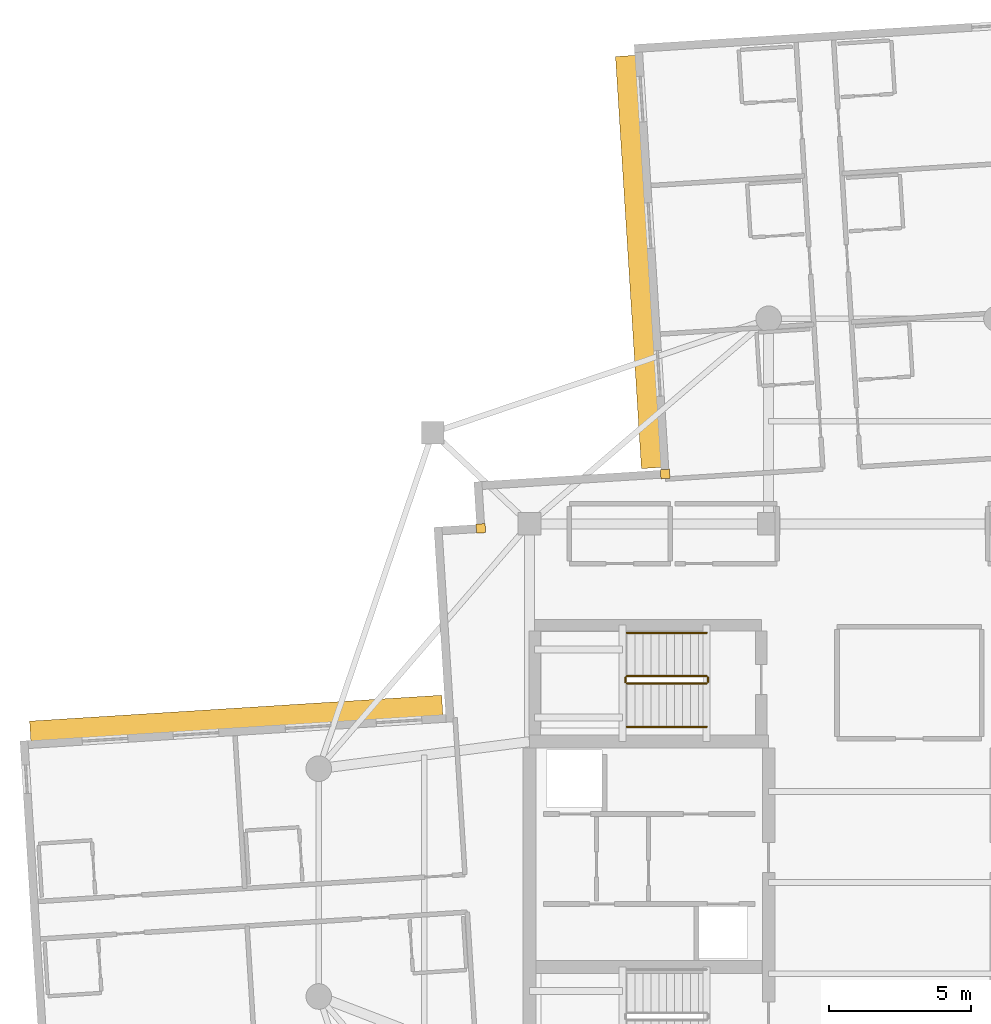
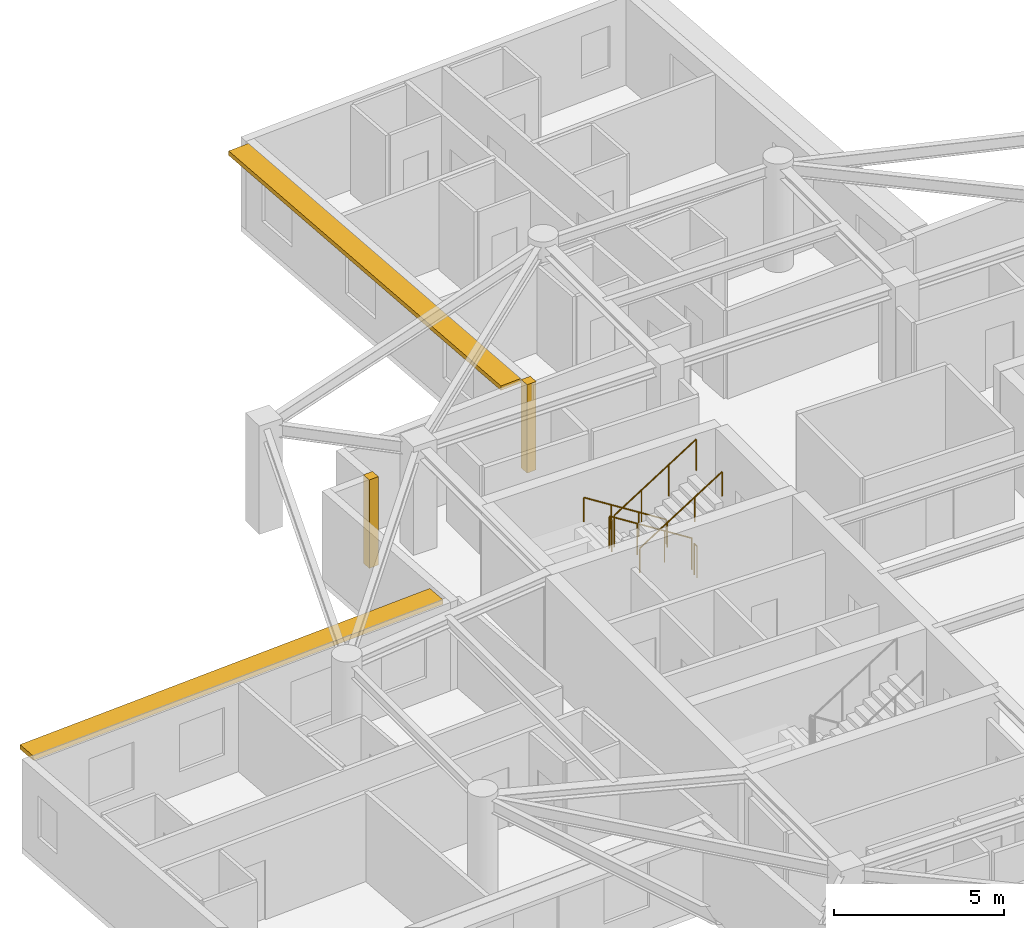
# One storey, part 12 of 13: 6 railings, 2 coverings, 2 shading devices.
"""IFC4 building model written with IfcOpenShell, lengths in metres."""

from ifc_helpers import new_model, si_unit, direction, frame, origin, origin_2d, place, context, subcontext, project, spatial, rectangle, circle, extrude, material, layer, layer_set, type_object, element, save


model = new_model("IFC4")

# Units and contexts
model_context = context("Model", 3, precision=1e-05, world=origin(), true_north=direction((0.0, 1.0)))
body_context = subcontext(model_context, "Body", "Model", "MODEL_VIEW")
ifc_project = project(units=[si_unit("LENGTHUNIT", "METRE"), si_unit("AREAUNIT", "SQUARE_METRE"), si_unit("VOLUMEUNIT", "CUBIC_METRE"), si_unit("PLANEANGLEUNIT", "RADIAN"), si_unit("MASSUNIT", "GRAM", prefix="KILO")], contexts=[model_context])

# Site, building, storey
site_placement = place(None, origin())
site = spatial("IfcSite", under=ifc_project, at=site_placement, CompositionType="ELEMENT")
building_placement = place(site_placement, origin())
building = spatial("IfcBuilding", under=site, at=building_placement, Name="Qingluan Cross Belvedere", CompositionType="ELEMENT")
storey_placement = place(building_placement, frame((0.0, 0.0, 281.10009765625)))
storey = spatial("IfcBuildingStorey", under=building, at=storey_placement, Name="L70", CompositionType="ELEMENT", Elevation=281.10009765625)

# Coverings
ifc_material_1 = material(Name="Precast concrete C45", Category="concrete")
ifc_layer_1 = layer(ifc_material_1, 0.1201171875, Name="ConcreteSpandrelCladding_120")
ifc_layer_set_1 = layer_set([ifc_layer_1], Name="Precast concrete C45")
covering_type = type_object("IfcCoveringType", Name="ConcreteSpandrelCladding_120", PredefinedType="CLADDING", material=ifc_layer_set_1)
for number, where, z_axis, x_axis, name in (
    (1, (-14.10888671875, 12.438720703125, 0.0), (0.0, 0.0, 1.0), (0.998026728428, 0.062790519529, 0.0), "Corner closure L70-NW1"),
    (2, (-7.635986328125, 14.348876953125, 0.0), (0.0, 0.0, 1.0), (0.998026728428, 0.062790519529, 0.0), "Corner closure L70-NW2"),
):
    element("IfcCovering", number, at=place(storey_placement, frame(where, z_axis=z_axis, x_axis=x_axis)), inside=storey, type_object=covering_type, Name=name, PredefinedType="CLADDING", context=body_context, shape_type="SweptSolid", body=[
        extrude(rectangle(XDim=0.320068359375, YDim=0.320068359375, at=origin_2d()), origin(), (0.0, 0.0, 1.0), 3.179931640625),
    ])

# Shading devices
ifc_material_2 = material(Name="Precast concrete C45", Category="concrete")
ifc_layer_2 = layer(ifc_material_2, 0.139892578125, Name="ConcreteSunshadeBand_700")
ifc_layer_set_2 = layer_set([ifc_layer_2], Name="Precast concrete C45")
shading_device_type = type_object("IfcShadingDeviceType", Name="ConcreteSunshadeBand_700", PredefinedType="USERDEFINED", material=ifc_layer_set_2)
for number, where, z_axis, x_axis, name in (
    (3, (-8.575439453125, 21.794677734375, 3.0), (0.0, 0.0, 1.0), (0.062795866837, -0.99802639199, 0.0), "Concrete SUNSHADE L70-NB"),
    (4, (-22.697509765625, 5.776123046875, 3.0), (0.0, 0.0, 1.0), (-0.998026818306, -0.062789090939, 0.0), "Concrete SUNSHADE L70-WA"),
):
    element("IfcShadingDevice", number, at=place(storey_placement, frame(where, z_axis=z_axis, x_axis=x_axis)), inside=storey, type_object=shading_device_type, Name=name, ObjectType="SUNSHADE", PredefinedType="USERDEFINED", context=body_context, shape_type="SweptSolid", body=[
        extrude(rectangle(XDim=14.5, YDim=0.699951171875, at=origin_2d()), origin(), (0.0, 0.0, 1.0), 0.159912109375),
    ])

# Railings
ifc_material_3 = material(Name="Brushed stainless steel tubular handrail", Category="steel")
railing_type_1 = type_object("IfcRailingType", Name="StairPitchHandrail_900", PredefinedType="HANDRAIL", material=ifc_material_3)
railing_1_placement = place(storey_placement, frame((-6.179931640625, 8.77001953125, 0.17724609375)))
element("IfcRailing", 5, at=railing_1_placement, inside=storey, type_object=railing_type_1, Name="L70 ST3 stair handrail 1", PredefinedType="HANDRAIL", context=body_context, shape_type="SweptSolid", body=[
    extrude(circle(Radius=0.02392578125, at=origin_2d()), frame((0.0, 0.0, 0.8759765625), z_axis=(-0.844908973607, 0.0, 0.534910110503), x_axis=(0.0, -1.0, 0.0)), (0.0, 0.0, 1.0), 3.31396484375),
    extrude(circle(Radius=0.02099609375, at=origin_2d()), origin(), (0.0, 0.0, 1.0), 0.851806640625),
    extrude(circle(Radius=0.02099609375, at=origin_2d()), frame((-0.933349609375, 0.0, 0.5908203125)), (0.0, 0.0, 1.0), 0.851806640625),
    extrude(circle(Radius=0.02099609375, at=origin_2d()), frame((-1.86669921875, 0.0, 1.181884765625)), (0.0, 0.0, 1.0), 0.851806640625),
    extrude(circle(Radius=0.02099609375, at=origin_2d()), frame((-2.800048828125, 0.0, 1.772705078125)), (0.0, 0.0, 1.0), 0.851806640625),
])
railing_2_placement = place(storey_placement, frame((-8.97998046875, 5.469970703125, 2.127197265625)))
element("IfcRailing", 6, at=railing_2_placement, inside=storey, type_object=railing_type_1, Name="L70 ST3 stair handrail 2", PredefinedType="HANDRAIL", context=body_context, shape_type="SweptSolid", body=[
    extrude(circle(Radius=0.02392578125, at=origin_2d()), frame((0.0, 0.0, 0.8759765625), z_axis=(0.844908973607, 0.0, 0.534910110503), x_axis=(0.0, 1.0, 0.0)), (0.0, 0.0, 1.0), 3.31396484375),
    extrude(circle(Radius=0.02099609375, at=origin_2d()), origin(), (0.0, 0.0, 1.0), 0.851806640625),
    extrude(circle(Radius=0.02099609375, at=origin_2d()), frame((0.933349609375, 0.0, 0.5908203125)), (0.0, 0.0, 1.0), 0.851806640625),
    extrude(circle(Radius=0.02099609375, at=origin_2d()), frame((1.86669921875, 0.0, 1.181884765625)), (0.0, 0.0, 1.0), 0.851806640625),
    extrude(circle(Radius=0.02099609375, at=origin_2d()), frame((2.800048828125, 0.0, 1.772705078125)), (0.0, 0.0, 1.0), 0.851806640625),
])
ifc_material_4 = material(Name="Painted steel stair well guard", Category="steel")
railing_type_2 = type_object("IfcRailingType", Name="StairWellGuard_1150", PredefinedType="BALUSTRADE", material=ifc_material_4)
railing_3_placement = place(storey_placement, frame((-6.179931640625, 7.25, 0.17724609375)))
element("IfcRailing", 7, at=railing_3_placement, inside=storey, type_object=railing_type_2, Name="L70 ST3 stair guard 1", PredefinedType="BALUSTRADE", context=body_context, shape_type="SweptSolid", body=[
    extrude(circle(Radius=0.02392578125, at=origin_2d()), frame((0.0, 0.0, 1.1259765625), z_axis=(-0.844908973607, 0.0, 0.534910110503), x_axis=(0.0, -1.0, 0.0)), (0.0, 0.0, 1.0), 3.31396484375),
    extrude(circle(Radius=0.02099609375, at=origin_2d()), origin(), (0.0, 0.0, 1.0), 1.101806640625),
    extrude(circle(Radius=0.02099609375, at=origin_2d()), frame((-0.933349609375, 0.0, 0.5908203125)), (0.0, 0.0, 1.0), 1.101806640625),
    extrude(circle(Radius=0.02099609375, at=origin_2d()), frame((-1.86669921875, 0.0, 1.181884765625)), (0.0, 0.0, 1.0), 1.101806640625),
    extrude(circle(Radius=0.02099609375, at=origin_2d()), frame((-2.800048828125, 0.0, 1.772705078125)), (0.0, 0.0, 1.0), 1.101806640625),
])
railing_4_placement = place(storey_placement, frame((-9.030029296875, 7.199951171875, 1.949951171875)))
element("IfcRailing", 8, at=railing_4_placement, inside=storey, type_object=railing_type_2, Name="L70 ST3 stair guard 2", PredefinedType="BALUSTRADE", context=body_context, shape_type="SweptSolid", body=[
    extrude(circle(Radius=0.02392578125, at=origin_2d()), frame((0.0, 0.0, 1.1259765625), z_axis=(0.0, -1.0, 0.0), x_axis=(1.0, 0.0, 0.0)), (0.0, 0.0, 1.0), 0.159912109375),
    extrude(circle(Radius=0.02099609375, at=origin_2d()), origin(), (0.0, 0.0, 1.0), 1.101806640625),
    extrude(circle(Radius=0.02099609375, at=origin_2d()), frame((0.0, -0.159912109375, 0.0)), (0.0, 0.0, 1.0), 1.101806640625),
])
railing_5_placement = place(storey_placement, frame((-8.97998046875, 6.989990234375, 2.127197265625)))
element("IfcRailing", 9, at=railing_5_placement, inside=storey, type_object=railing_type_2, Name="L70 ST3 stair guard 3", PredefinedType="BALUSTRADE", context=body_context, shape_type="SweptSolid", body=[
    extrude(circle(Radius=0.02392578125, at=origin_2d()), frame((0.0, 0.0, 1.1259765625), z_axis=(0.844908973607, 0.0, 0.534910110503), x_axis=(0.0, 1.0, 0.0)), (0.0, 0.0, 1.0), 3.31396484375),
    extrude(circle(Radius=0.02099609375, at=origin_2d()), origin(), (0.0, 0.0, 1.0), 1.101806640625),
    extrude(circle(Radius=0.02099609375, at=origin_2d()), frame((0.933349609375, 0.0, 0.5908203125)), (0.0, 0.0, 1.0), 1.101806640625),
    extrude(circle(Radius=0.02099609375, at=origin_2d()), frame((1.86669921875, 0.0, 1.181884765625)), (0.0, 0.0, 1.0), 1.101806640625),
    extrude(circle(Radius=0.02099609375, at=origin_2d()), frame((2.800048828125, 0.0, 1.772705078125)), (0.0, 0.0, 1.0), 1.101806640625),
])
railing_6_placement = place(storey_placement, frame((-6.1298828125, 7.199951171875, 0.0)))
element("IfcRailing", 10, at=railing_6_placement, inside=storey, type_object=railing_type_2, Name="L70 ST3 stair guard 4", PredefinedType="BALUSTRADE", context=body_context, shape_type="SweptSolid", body=[
    extrude(circle(Radius=0.02392578125, at=origin_2d()), frame((0.0, 0.0, 1.1259765625), z_axis=(0.0, -1.0, 0.0), x_axis=(1.0, 0.0, 0.0)), (0.0, 0.0, 1.0), 0.159912109375),
    extrude(circle(Radius=0.02099609375, at=origin_2d()), origin(), (0.0, 0.0, 1.0), 1.101806640625),
    extrude(circle(Radius=0.02099609375, at=origin_2d()), frame((0.0, -0.159912109375, 0.0)), (0.0, 0.0, 1.0), 1.101806640625),
])

save(model, "model.ifc")
